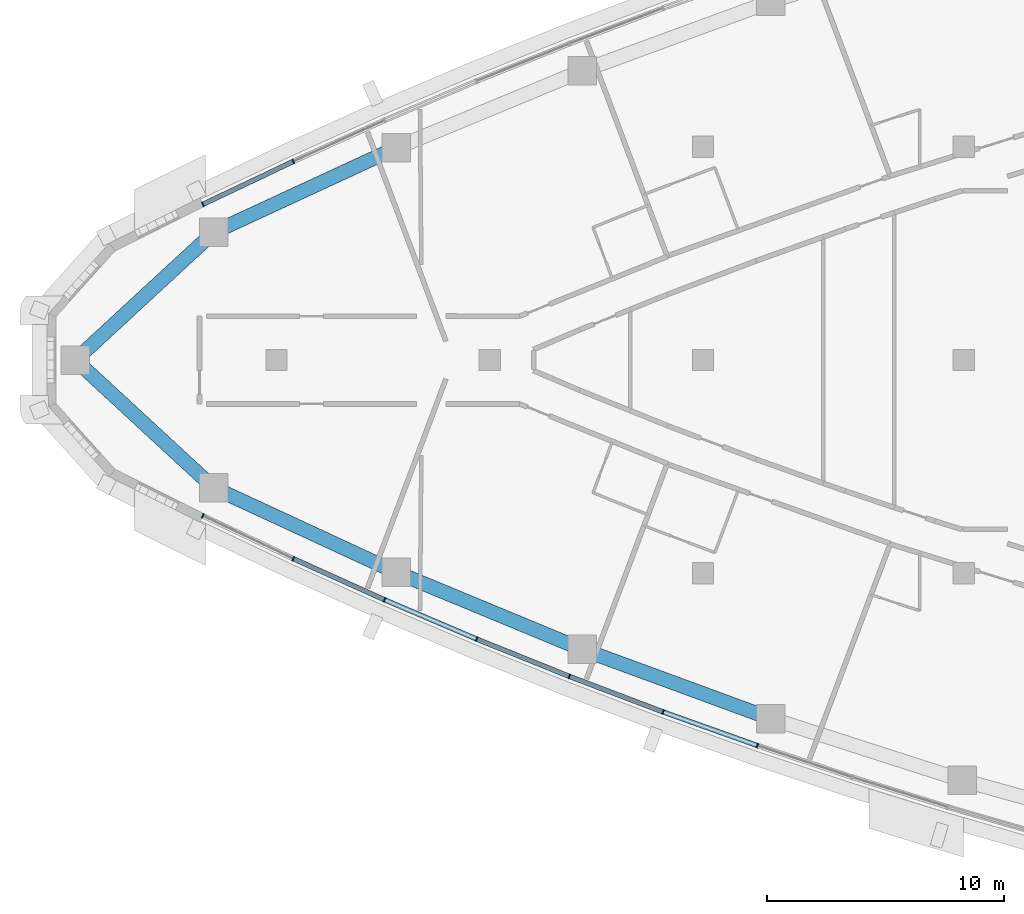
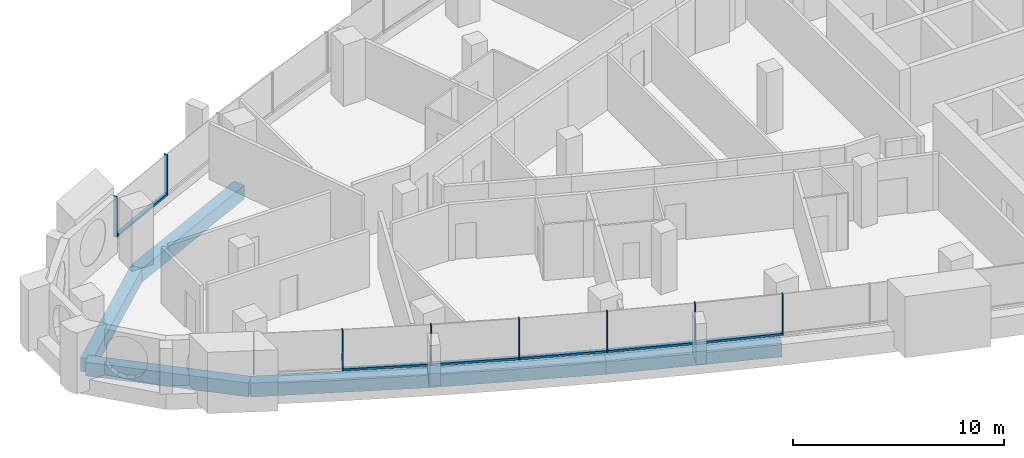
# One storey, part 2 of 16: 15 members, 6 beams, 4 elements without a shape of their own.
"""IFC4 building model written with IfcOpenShell, lengths in metres."""

from ifc_helpers import new_model, si_unit, direction, frame, origin, origin_2d, place, context, subcontext, project, spatial, rectangle, extrude, material, layer, layer_set, material_profile, profile_set, type_object, element, aggregate, save


model = new_model("IFC4")

# Units and contexts
model_context = context("Model", 3, precision=1e-05, world=origin(), true_north=direction((0.0, 1.0)))
body_context = subcontext(model_context, "Body", "Model", "MODEL_VIEW")
ifc_project = project(units=[si_unit("LENGTHUNIT", "METRE"), si_unit("AREAUNIT", "SQUARE_METRE"), si_unit("VOLUMEUNIT", "CUBIC_METRE"), si_unit("PLANEANGLEUNIT", "RADIAN"), si_unit("MASSUNIT", "GRAM", prefix="KILO")], contexts=[model_context])

# Site, building, storey
site_placement = place(None, origin())
site = spatial("IfcSite", under=ifc_project, at=site_placement, CompositionType="ELEMENT")
building_placement = place(site_placement, origin())
building = spatial("IfcBuilding", under=site, at=building_placement, Name="Ostrand Prow Hotel Tower", CompositionType="ELEMENT")
storey_placement = place(building_placement, frame((0.0, 0.0, 227.89990234375)))
storey = spatial("IfcBuildingStorey", under=building, at=storey_placement, Name="L57", CompositionType="ELEMENT", Elevation=227.89990234375)

# Beams
ifc_material_1 = material(Name="Concrete C50/60", Category="concrete")
ifc_material_profile_1 = material_profile(ifc_material_1, rectangle(XDim=0.60009765625, YDim=0.800048828125, at=origin_2d()), Name="RC 600x800")
ifc_profile_set_1 = profile_set([ifc_material_profile_1], Name="Concrete C50/60")
beam_type = type_object("IfcBeamType", Name="Edge beam 600x800 C50/60", PredefinedType="SPANDREL", material=ifc_profile_set_1)
beam_1_placement = place(storey_placement, frame((7.513916015625, 0.0, -0.699951171875), z_axis=(0.734806976358, -0.678276276672, 0.0), x_axis=(0.678276276672, 0.734806976358, 0.0)))
element("IfcBeam", 1, at=beam_1_placement, inside=storey, type_object=beam_type, Name="Edge beam P-S1", PredefinedType="SPANDREL", context=body_context, shape_type="SweptSolid", body=[
    extrude(rectangle(XDim=0.60009765625, YDim=0.800048828125, at=origin_2d()), origin(), (0.0, 0.0, 1.0), 7.95068359375),
])
beam_2_placement = place(storey_placement, frame((13.356201171875, -5.392822265625, -0.699951171875), z_axis=(0.907521936352, -0.420004684544, 0.0), x_axis=(0.420004684544, 0.907521936352, 0.0)))
element("IfcBeam", 2, at=beam_2_placement, inside=storey, type_object=beam_type, Name="Edge beam S1-S2", PredefinedType="SPANDREL", context=body_context, shape_type="SweptSolid", body=[
    extrude(rectangle(XDim=0.60009765625, YDim=0.800048828125, at=origin_2d()), origin(), (0.0, 0.0, 1.0), 8.4873046875),
])
for number, where, z_axis, x_axis, name in (
    (3, (21.05859375, -8.95751953125, -0.699951171875), (0.923890977326, -0.38265580097, 0.0), (0.38265580097, 0.923890977326, 0.0), "Edge beam S2-S3"),
    (4, (28.900146484375, -12.205322265625, -0.699951171875), (0.938684959139, -0.344776083113, 0.0), (0.344776083113, 0.938684959139, 0.0), "Edge beam S3-S4"),
):
    element("IfcBeam", number, at=place(storey_placement, frame(where, z_axis=z_axis, x_axis=x_axis)), inside=storey, type_object=beam_type, Name=name, PredefinedType="SPANDREL", context=body_context, shape_type="SweptSolid", body=[
        extrude(rectangle(XDim=0.60009765625, YDim=0.800048828125, at=origin_2d()), origin(), (0.0, 0.0, 1.0), 8.487548828125),
    ])
beam_3_placement = place(storey_placement, frame((21.05859375, 8.95751953125, -0.699951171875), z_axis=(-0.907521936352, -0.420004684544, 0.0), x_axis=(0.420004684544, -0.907521936352, 0.0)))
element("IfcBeam", 5, at=beam_3_placement, inside=storey, type_object=beam_type, Name="Edge beam N5-N6", PredefinedType="SPANDREL", context=body_context, shape_type="SweptSolid", body=[
    extrude(rectangle(XDim=0.60009765625, YDim=0.800048828125, at=origin_2d()), origin(), (0.0, 0.0, 1.0), 8.4873046875),
])
beam_4_placement = place(storey_placement, frame((13.356201171875, 5.392822265625, -0.699951171875), z_axis=(-0.734806976358, -0.678276276672, 0.0), x_axis=(0.678276276672, -0.734806976358, 0.0)))
element("IfcBeam", 6, at=beam_4_placement, inside=storey, type_object=beam_type, Name="Edge beam N6-P", PredefinedType="SPANDREL", context=body_context, shape_type="SweptSolid", body=[
    extrude(rectangle(XDim=0.60009765625, YDim=0.800048828125, at=origin_2d()), origin(), (0.0, 0.0, 1.0), 7.95068359375),
])

# Curtain wall, members
ifc_material_2 = material(Name="Insulated glass in bronze anodised frame", Category="glass")
ifc_layer = layer(ifc_material_2, 0.199951171875)
ifc_layer_set = layer_set([ifc_layer], Name="Insulated glass in bronze anodised frame")
curtain_wall_type = type_object("IfcCurtainWallType", Name="Strip curtain wall, fritted glass over bronze spandrel", PredefinedType="NOTDEFINED", material=ifc_layer_set)
curtain_wall_1_placement = place(storey_placement, origin())
curtain_wall_1 = element("IfcCurtainWall", 7, at=curtain_wall_1_placement, inside=storey, type_object=curtain_wall_type, Name="CW1 run CWS1", PredefinedType="NOTDEFINED")
ifc_material_3 = material(Name="Bronze anodised aluminium", Category="aluminium")
ifc_material_profile_2 = material_profile(ifc_material_3, rectangle(XDim=0.199951171875, YDim=0.06005859375, at=origin_2d()), Name="Mullion 60x200 bronze anodised aluminium")
ifc_profile_set_2 = profile_set([ifc_material_profile_2], Name="Bronze anodised aluminium")
member_type_1 = type_object("IfcMemberType", Name="Mullion 60x200 bronze anodised aluminium", PredefinedType="MULLION", material=ifc_profile_set_2)
member_1_placement = place(storey_placement, frame((12.893310546875, -6.57080078125, 0.900146484375), z_axis=(0.0, 0.0, 1.0), x_axis=(0.428861030937, 0.903370475577, 0.0)))
member_1 = element("IfcMember", 8, at=member_1_placement, type_object=member_type_1, Name="CW1 mullion 1", PredefinedType="MULLION", context=body_context, shape_type="SweptSolid", body=[
    extrude(rectangle(XDim=0.199951171875, YDim=0.06005859375, at=origin_2d()), origin(), (0.0, 0.0, 1.0), 2.349853515625),
])
member_2_placement = place(storey_placement, frame((16.708740234375, -8.382080078125, 0.900146484375), z_axis=(0.0, 0.0, 1.0), x_axis=(0.41058199404, 0.911823681514, 0.0)))
member_2 = element("IfcMember", 9, at=member_2_placement, type_object=member_type_1, Name="CW1 mullion 2", PredefinedType="MULLION", context=body_context, shape_type="SweptSolid", body=[
    extrude(rectangle(XDim=0.199951171875, YDim=0.06005859375, at=origin_2d()), origin(), (0.0, 0.0, 1.0), 2.349853515625),
])
member_3_placement = place(storey_placement, frame((20.56005859375, -10.116455078125, 0.900146484375), z_axis=(0.0, 0.0, 1.0), x_axis=(0.41058199404, 0.911823681514, 0.0)))
member_3 = element("IfcMember", 10, at=member_3_placement, type_object=member_type_1, Name="CW1 mullion 3", PredefinedType="MULLION", context=body_context, shape_type="SweptSolid", body=[
    extrude(rectangle(XDim=0.199951171875, YDim=0.06005859375, at=origin_2d()), origin(), (0.0, 0.0, 1.0), 2.349853515625),
])

curtain_wall_2_placement = place(storey_placement, origin())
curtain_wall_2 = element("IfcCurtainWall", 11, at=curtain_wall_2_placement, inside=storey, type_object=curtain_wall_type, Name="CW1 run CWS2", PredefinedType="NOTDEFINED")
member_4_placement = place(storey_placement, frame((24.445556640625, -11.772705078125, 0.900146484375), z_axis=(0.0, 0.0, 1.0), x_axis=(0.373533449004, 0.927616710972, 0.0)))
member_4 = element("IfcMember", 12, at=member_4_placement, type_object=member_type_1, Name="CW1 mullion 2", PredefinedType="MULLION", context=body_context, shape_type="SweptSolid", body=[
    extrude(rectangle(XDim=0.199951171875, YDim=0.06005859375, at=origin_2d()), origin(), (0.0, 0.0, 1.0), 2.349853515625),
])
member_5_placement = place(storey_placement, frame((28.363525390625, -13.350341796875, 0.900146484375), z_axis=(0.0, 0.0, 1.0), x_axis=(0.373533449004, 0.927616710972, 0.0)))
member_5 = element("IfcMember", 13, at=member_5_placement, type_object=member_type_1, Name="CW1 mullion 3", PredefinedType="MULLION", context=body_context, shape_type="SweptSolid", body=[
    extrude(rectangle(XDim=0.199951171875, YDim=0.06005859375, at=origin_2d()), origin(), (0.0, 0.0, 1.0), 2.349853515625),
])

curtain_wall_3_placement = place(storey_placement, origin())
curtain_wall_3 = element("IfcCurtainWall", 14, at=curtain_wall_3_placement, inside=storey, type_object=curtain_wall_type, Name="CW1 run CWS3", PredefinedType="NOTDEFINED")
member_6_placement = place(storey_placement, frame((32.3125, -14.848876953125, 0.900146484375), z_axis=(0.0, 0.0, 1.0), x_axis=(0.335877383374, 0.941905718922, 0.0)))
member_6 = element("IfcMember", 15, at=member_6_placement, type_object=member_type_1, Name="CW1 mullion 2", PredefinedType="MULLION", context=body_context, shape_type="SweptSolid", body=[
    extrude(rectangle(XDim=0.199951171875, YDim=0.06005859375, at=origin_2d()), origin(), (0.0, 0.0, 1.0), 2.349853515625),
])
member_7_placement = place(storey_placement, frame((36.291015625, -16.267578125, 0.900146484375), z_axis=(0.0, 0.0, 1.0), x_axis=(0.335877383374, 0.941905718922, 0.0)))
member_7 = element("IfcMember", 16, at=member_7_placement, type_object=member_type_1, Name="CW1 mullion 3", PredefinedType="MULLION", context=body_context, shape_type="SweptSolid", body=[
    extrude(rectangle(XDim=0.199951171875, YDim=0.06005859375, at=origin_2d()), origin(), (0.0, 0.0, 1.0), 2.349853515625),
])

curtain_wall_4_placement = place(storey_placement, origin())
curtain_wall_4 = element("IfcCurtainWall", 17, at=curtain_wall_4_placement, inside=storey, type_object=curtain_wall_type, Name="CW1 run CWN5", PredefinedType="NOTDEFINED")
member_8_placement = place(storey_placement, frame((16.708740234375, 8.382080078125, 0.900146484375), z_axis=(0.0, 0.0, 1.0), x_axis=(0.428861030937, -0.903370475577, 0.0)))
member_8 = element("IfcMember", 18, at=member_8_placement, type_object=member_type_1, Name="CW1 mullion 2", PredefinedType="MULLION", context=body_context, shape_type="SweptSolid", body=[
    extrude(rectangle(XDim=0.199951171875, YDim=0.06005859375, at=origin_2d()), origin(), (0.0, 0.0, 1.0), 2.349853515625),
])
member_9_placement = place(storey_placement, frame((12.893310546875, 6.57080078125, 0.900146484375), z_axis=(0.0, 0.0, 1.0), x_axis=(0.428861030937, -0.903370475577, 0.0)))
member_9 = element("IfcMember", 19, at=member_9_placement, type_object=member_type_1, Name="CW1 mullion 3", PredefinedType="MULLION", context=body_context, shape_type="SweptSolid", body=[
    extrude(rectangle(XDim=0.199951171875, YDim=0.06005859375, at=origin_2d()), origin(), (0.0, 0.0, 1.0), 2.349853515625),
])

# Member
ifc_material_4 = material(Name="Bronze anodised aluminium", Category="aluminium")
ifc_material_profile_3 = material_profile(ifc_material_4, rectangle(XDim=0.199951171875, YDim=0.1201171875, at=origin_2d()), Name="Transom 120x200 bronze anodised aluminium")
ifc_profile_set_3 = profile_set([ifc_material_profile_3], Name="Bronze anodised aluminium")
member_type_2 = type_object("IfcMemberType", Name="Transom 120x200 bronze anodised aluminium", PredefinedType="USERDEFINED", material=ifc_profile_set_3)
member_10_placement = place(storey_placement, frame((16.736083984375, -8.39453125, 0.960205078125), z_axis=(0.911832617051, -0.410562149353, 0.0), x_axis=(0.410562149353, 0.911832617051, 0.0)))
member_10 = element("IfcMember", 20, at=member_10_placement, type_object=member_type_2, Name="CW1 transom 2.1", ObjectType="TRANSOM", PredefinedType="USERDEFINED", context=body_context, shape_type="SweptSolid", body=[
    extrude(rectangle(XDim=0.199951171875, YDim=0.1201171875, at=origin_2d()), origin(), (0.0, 0.0, 1.0), 4.163818359375),
])

aggregate(curtain_wall_1, [member_1, member_2, member_3, member_10])

member_11_placement = place(storey_placement, frame((20.587646484375, -10.128173828125, 0.960205078125), z_axis=(0.919904541337, -0.392142365509, 0.0), x_axis=(0.392142365509, 0.919904541337, 0.0)))
member_11 = element("IfcMember", 21, at=member_11_placement, type_object=member_type_2, Name="CW1 transom 1.1", ObjectType="TRANSOM", PredefinedType="USERDEFINED", context=body_context, shape_type="SweptSolid", body=[
    extrude(rectangle(XDim=0.199951171875, YDim=0.1201171875, at=origin_2d()), origin(), (0.0, 0.0, 1.0), 4.163818359375),
])

member_12_placement = place(storey_placement, frame((24.473388671875, -11.783935546875, 0.960205078125), z_axis=(0.927625049372, -0.373512741119, 0.0), x_axis=(0.373512741119, 0.927625049372, 0.0)))
member_12 = element("IfcMember", 22, at=member_12_placement, type_object=member_type_2, Name="CW1 transom 2.1", ObjectType="TRANSOM", PredefinedType="USERDEFINED", context=body_context, shape_type="SweptSolid", body=[
    extrude(rectangle(XDim=0.199951171875, YDim=0.1201171875, at=origin_2d()), origin(), (0.0, 0.0, 1.0), 4.16357421875),
])

aggregate(curtain_wall_2, [member_4, member_5, member_11, member_12])

member_13_placement = place(storey_placement, frame((28.3916015625, -13.361083984375, 0.960205078125), z_axis=(0.934960644813, -0.354751451936, 0.0), x_axis=(0.354751451936, 0.934960644813, 0.0)))
member_13 = element("IfcMember", 23, at=member_13_placement, type_object=member_type_2, Name="CW1 transom 1.1", ObjectType="TRANSOM", PredefinedType="USERDEFINED", context=body_context, shape_type="SweptSolid", body=[
    extrude(rectangle(XDim=0.199951171875, YDim=0.1201171875, at=origin_2d()), origin(), (0.0, 0.0, 1.0), 4.16357421875),
])

member_14_placement = place(storey_placement, frame((32.3408203125, -14.85888671875, 0.960205078125), z_axis=(0.941911594104, -0.335860907061, 0.0), x_axis=(0.335860907061, 0.941911594104, 0.0)))
member_14 = element("IfcMember", 24, at=member_14_placement, type_object=member_type_2, Name="CW1 transom 2.1", ObjectType="TRANSOM", PredefinedType="USERDEFINED", context=body_context, shape_type="SweptSolid", body=[
    extrude(rectangle(XDim=0.199951171875, YDim=0.1201171875, at=origin_2d()), origin(), (0.0, 0.0, 1.0), 4.163818359375),
])

aggregate(curtain_wall_3, [member_6, member_7, member_13, member_14])

member_15_placement = place(storey_placement, frame((16.681640625, 8.369384765625, 0.960205078125), z_axis=(-0.903364977925, -0.428872611226, 0.0), x_axis=(0.428872611226, -0.903364977925, 0.0)))
member_15 = element("IfcMember", 25, at=member_15_placement, type_object=member_type_2, Name="CW1 transom 2.1", ObjectType="TRANSOM", PredefinedType="USERDEFINED", context=body_context, shape_type="SweptSolid", body=[
    extrude(rectangle(XDim=0.199951171875, YDim=0.1201171875, at=origin_2d()), origin(), (0.0, 0.0, 1.0), 4.16357421875),
])

aggregate(curtain_wall_4, [member_8, member_9, member_15])

save(model, "model.ifc")
